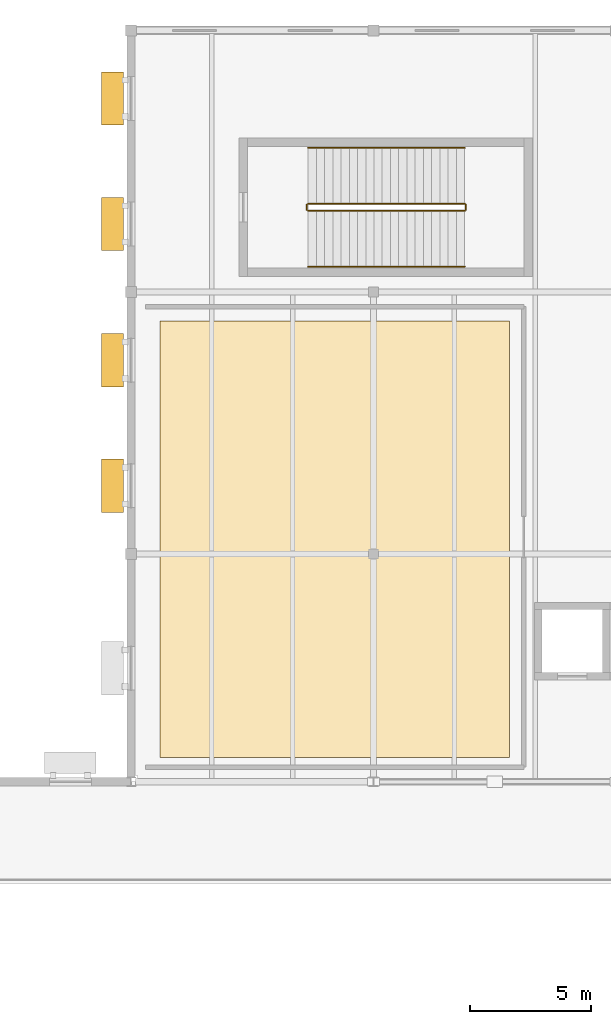
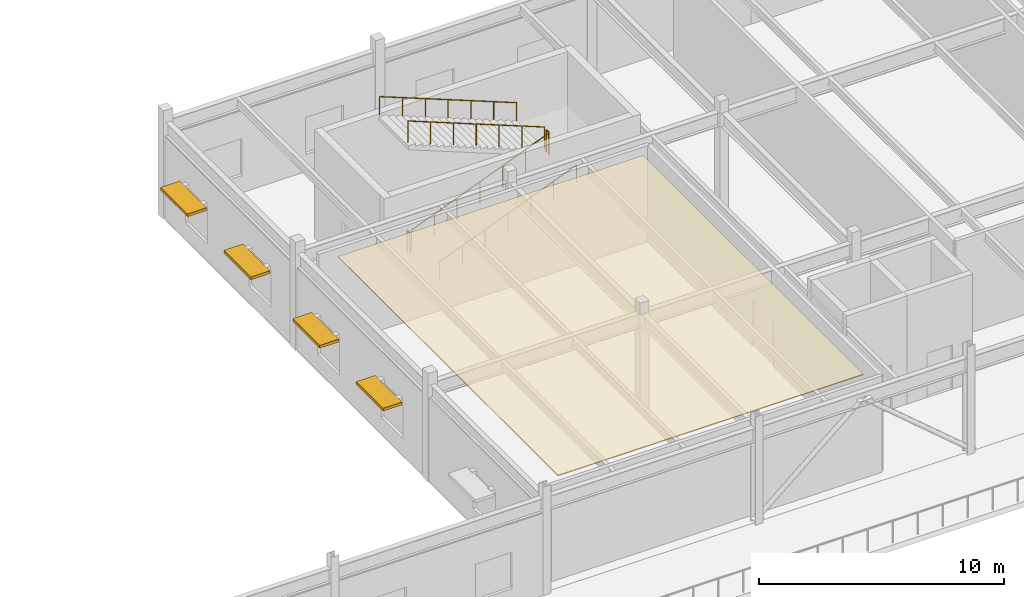
# One storey, part 64 of 68: 6 railings, 4 shading devices, 1 covering.
"""IFC4 building model written with IfcOpenShell, lengths in metres."""

from ifc_helpers import new_model, si_unit, direction, frame, origin, origin_2d, place, context, subcontext, project, spatial, polyline, rectangle, circle, outline, extrude, material, layer, layer_set, type_object, element, save


model = new_model("IFC4")

# Units and contexts
model_context = context("Model", 3, precision=1e-05, world=origin(), true_north=direction((0.0, 1.0)))
body_context = subcontext(model_context, "Body", "Model", "MODEL_VIEW")
ifc_project = project(units=[si_unit("LENGTHUNIT", "METRE"), si_unit("AREAUNIT", "SQUARE_METRE"), si_unit("VOLUMEUNIT", "CUBIC_METRE"), si_unit("PLANEANGLEUNIT", "RADIAN"), si_unit("MASSUNIT", "GRAM", prefix="KILO")], contexts=[model_context])

# Site, building, storey
site_placement = place(None, origin())
site = spatial("IfcSite", under=ifc_project, at=site_placement, CompositionType="ELEMENT")
building_placement = place(site_placement, origin())
building = spatial("IfcBuilding", under=site, at=building_placement, Name="Veldera Park Congress Hotel", CompositionType="ELEMENT")
storey_placement = place(building_placement, frame((0.0, 0.0, 10.800048828125)))
storey = spatial("IfcBuildingStorey", under=building, at=storey_placement, Name="L02", CompositionType="ELEMENT", Elevation=10.800048828125)

# Covering
ifc_material_1 = material(Name="Micro-Perforated Western Hemlock Acoustic Timber", Category="wood")
ifc_layer = layer(ifc_material_1, 0.044921875)
ifc_layer_set = layer_set([ifc_layer], Name="Micro-Perforated Western Hemlock Acoustic Timber")
covering_type = type_object("IfcCoveringType", Name="COV-CLG-TIM", PredefinedType="CEILING", material=ifc_layer_set)
covering_placement = place(storey_placement, frame((0.0, 0.0, 4.7548828125)))
element("IfcCovering", 1, at=covering_placement, inside=storey, type_object=covering_type, Name="Secretariat Acoustic Ceiling", PredefinedType="CEILING", context=body_context, shape_type="SweptSolid", body=[
    extrude(outline(polyline([(-46.199951171875, 28.0), (-31.800048828125, 28.0), (-31.800048828125, 46.0), (-46.199951171875, 46.0), (-46.199951171875, 28.0)])), origin(), (0.0, 0.0, 1.0), 0.045166015625),
])

# Railings
ifc_material_2 = material(Name="Steel ASTM A992 Gr.50", Category="steel")
railing_type_1 = type_object("IfcRailingType", Name="GRD-ST110", PredefinedType="GUARDRAIL", material=ifc_material_2)
railing_1_placement = place(storey_placement, frame((-40.10009765625, 50.550048828125, 0.135009765625)))
element("IfcRailing", 2, at=railing_1_placement, inside=storey, type_object=railing_type_1, Name="L02 ST4 stair guard 1", PredefinedType="GUARDRAIL", context=body_context, shape_type="SweptSolid", body=[
    extrude(circle(Radius=0.02392578125, at=origin_2d()), frame((0.0, 0.0, 1.076171875), z_axis=(0.929423222467, 0.0, 0.369015546474), x_axis=(0.0, 1.0, 0.0)), (0.0, 0.0, 1.0), 6.95068359375),
    extrude(circle(Radius=0.02099609375, at=origin_2d()), origin(), (0.0, 0.0, 1.0), 1.052001953125),
    extrude(circle(Radius=0.02099609375, at=origin_2d()), frame((1.07666015625, 0.0, 0.427490234375)), (0.0, 0.0, 1.0), 1.052001953125),
    extrude(circle(Radius=0.02099609375, at=origin_2d()), frame((2.1533203125, 0.0, 0.85498046875)), (0.0, 0.0, 1.0), 1.052001953125),
    extrude(circle(Radius=0.02099609375, at=origin_2d()), frame((3.22998046875, 0.0, 1.282470703125)), (0.0, 0.0, 1.0), 1.052001953125),
    extrude(circle(Radius=0.02099609375, at=origin_2d()), frame((4.306884765625, 0.0, 1.7099609375)), (0.0, 0.0, 1.0), 1.052001953125),
    extrude(circle(Radius=0.02099609375, at=origin_2d()), frame((5.383544921875, 0.0, 2.137451171875)), (0.0, 0.0, 1.0), 1.052001953125),
    extrude(circle(Radius=0.02099609375, at=origin_2d()), frame((6.460205078125, 0.0, 2.56494140625)), (0.0, 0.0, 1.0), 1.052001953125),
])
railing_2_placement = place(storey_placement, frame((-33.590087890625, 50.60009765625, 2.699951171875)))
element("IfcRailing", 3, at=railing_2_placement, inside=storey, type_object=railing_type_1, Name="L02 ST4 stair guard 2", PredefinedType="GUARDRAIL", context=body_context, shape_type="SweptSolid", body=[
    extrude(circle(Radius=0.02392578125, at=origin_2d()), frame((0.0, 0.0, 1.076171875), z_axis=(0.0, 1.0, 0.0), x_axis=(-1.0, 0.0, 0.0)), (0.0, 0.0, 1.0), 0.199951171875),
    extrude(circle(Radius=0.02099609375, at=origin_2d()), origin(), (0.0, 0.0, 1.0), 1.052001953125),
    extrude(circle(Radius=0.02099609375, at=origin_2d()), frame((0.0, 0.199951171875, 0.0)), (0.0, 0.0, 1.0), 1.052001953125),
])
railing_3_placement = place(storey_placement, frame((-33.639892578125, 50.85009765625, 2.8349609375)))
element("IfcRailing", 4, at=railing_3_placement, inside=storey, type_object=railing_type_1, Name="L02 ST4 stair guard 3", PredefinedType="GUARDRAIL", context=body_context, shape_type="SweptSolid", body=[
    extrude(circle(Radius=0.02392578125, at=origin_2d()), frame((0.0, 0.0, 1.076171875), z_axis=(-0.929423222467, 0.0, 0.369015546474), x_axis=(0.0, -1.0, 0.0)), (0.0, 0.0, 1.0), 6.95068359375),
    extrude(circle(Radius=0.02099609375, at=origin_2d()), origin(), (0.0, 0.0, 1.0), 1.052001953125),
    extrude(circle(Radius=0.02099609375, at=origin_2d()), frame((-1.07666015625, 0.0, 0.427490234375)), (0.0, 0.0, 1.0), 1.052001953125),
    extrude(circle(Radius=0.02099609375, at=origin_2d()), frame((-2.1533203125, 0.0, 0.85498046875)), (0.0, 0.0, 1.0), 1.052001953125),
    extrude(circle(Radius=0.02099609375, at=origin_2d()), frame((-3.22998046875, 0.0, 1.282470703125)), (0.0, 0.0, 1.0), 1.052001953125),
    extrude(circle(Radius=0.02099609375, at=origin_2d()), frame((-4.306884765625, 0.0, 1.7099609375)), (0.0, 0.0, 1.0), 1.052001953125),
    extrude(circle(Radius=0.02099609375, at=origin_2d()), frame((-5.383544921875, 0.0, 2.137451171875)), (0.0, 0.0, 1.0), 1.052001953125),
    extrude(circle(Radius=0.02099609375, at=origin_2d()), frame((-6.460205078125, 0.0, 2.56494140625)), (0.0, 0.0, 1.0), 1.052001953125),
])
railing_4_placement = place(storey_placement, frame((-40.14990234375, 50.60009765625, 0.0)))
element("IfcRailing", 5, at=railing_4_placement, inside=storey, type_object=railing_type_1, Name="L02 ST4 stair guard 4", PredefinedType="GUARDRAIL", context=body_context, shape_type="SweptSolid", body=[
    extrude(circle(Radius=0.02392578125, at=origin_2d()), frame((0.0, 0.0, 1.076171875), z_axis=(0.0, 1.0, 0.0), x_axis=(-1.0, 0.0, 0.0)), (0.0, 0.0, 1.0), 0.199951171875),
    extrude(circle(Radius=0.02099609375, at=origin_2d()), origin(), (0.0, 0.0, 1.0), 1.052001953125),
    extrude(circle(Radius=0.02099609375, at=origin_2d()), frame((0.0, 0.199951171875, 0.0)), (0.0, 0.0, 1.0), 1.052001953125),
])
railing_type_2 = type_object("IfcRailingType", Name="HRL-920", PredefinedType="HANDRAIL", material=ifc_material_2)
railing_5_placement = place(storey_placement, frame((-40.10009765625, 48.25, 0.135009765625)))
element("IfcRailing", 6, at=railing_5_placement, inside=storey, type_object=railing_type_2, Name="L02 ST4 stair handrail 1", PredefinedType="HANDRAIL", context=body_context, shape_type="SweptSolid", body=[
    extrude(circle(Radius=0.02392578125, at=origin_2d()), frame((0.0, 0.0, 0.89599609375), z_axis=(0.929423222467, 0.0, 0.369015546474), x_axis=(0.0, 1.0, 0.0)), (0.0, 0.0, 1.0), 6.95068359375),
    extrude(circle(Radius=0.02099609375, at=origin_2d()), origin(), (0.0, 0.0, 1.0), 0.871826171875),
    extrude(circle(Radius=0.02099609375, at=origin_2d()), frame((1.07666015625, 0.0, 0.427490234375)), (0.0, 0.0, 1.0), 0.871826171875),
    extrude(circle(Radius=0.02099609375, at=origin_2d()), frame((2.1533203125, 0.0, 0.85498046875)), (0.0, 0.0, 1.0), 0.871826171875),
    extrude(circle(Radius=0.02099609375, at=origin_2d()), frame((3.22998046875, 0.0, 1.282470703125)), (0.0, 0.0, 1.0), 0.871826171875),
    extrude(circle(Radius=0.02099609375, at=origin_2d()), frame((4.306884765625, 0.0, 1.7099609375)), (0.0, 0.0, 1.0), 0.871826171875),
    extrude(circle(Radius=0.02099609375, at=origin_2d()), frame((5.383544921875, 0.0, 2.137451171875)), (0.0, 0.0, 1.0), 0.871826171875),
    extrude(circle(Radius=0.02099609375, at=origin_2d()), frame((6.460205078125, 0.0, 2.56494140625)), (0.0, 0.0, 1.0), 0.871826171875),
])
railing_6_placement = place(storey_placement, frame((-33.639892578125, 53.14990234375, 2.8349609375)))
element("IfcRailing", 7, at=railing_6_placement, inside=storey, type_object=railing_type_2, Name="L02 ST4 stair handrail 2", PredefinedType="HANDRAIL", context=body_context, shape_type="SweptSolid", body=[
    extrude(circle(Radius=0.02392578125, at=origin_2d()), frame((0.0, 0.0, 0.89599609375), z_axis=(-0.929423222467, 0.0, 0.369015546474), x_axis=(0.0, -1.0, 0.0)), (0.0, 0.0, 1.0), 6.95068359375),
    extrude(circle(Radius=0.02099609375, at=origin_2d()), origin(), (0.0, 0.0, 1.0), 0.871826171875),
    extrude(circle(Radius=0.02099609375, at=origin_2d()), frame((-1.07666015625, 0.0, 0.427490234375)), (0.0, 0.0, 1.0), 0.871826171875),
    extrude(circle(Radius=0.02099609375, at=origin_2d()), frame((-2.1533203125, 0.0, 0.85498046875)), (0.0, 0.0, 1.0), 0.871826171875),
    extrude(circle(Radius=0.02099609375, at=origin_2d()), frame((-3.22998046875, 0.0, 1.282470703125)), (0.0, 0.0, 1.0), 0.871826171875),
    extrude(circle(Radius=0.02099609375, at=origin_2d()), frame((-4.306884765625, 0.0, 1.7099609375)), (0.0, 0.0, 1.0), 0.871826171875),
    extrude(circle(Radius=0.02099609375, at=origin_2d()), frame((-5.383544921875, 0.0, 2.137451171875)), (0.0, 0.0, 1.0), 0.871826171875),
    extrude(circle(Radius=0.02099609375, at=origin_2d()), frame((-6.460205078125, 0.0, 2.56494140625)), (0.0, 0.0, 1.0), 0.871826171875),
])

# Shading devices
ifc_material_3 = material(Name="Glulam GL28h (NDS 24F-V4)", Category="wood")
shading_device_type = type_object("IfcShadingDeviceType", Name="SHD-SHF450", PredefinedType="AWNING", material=ifc_material_3)
for number, where, z_axis, x_axis, name in (
    (8, (-48.169921875, 55.1884765625, 2.7099609375), (0.0, 0.0, 1.0), (0.0, -1.0, 0.0), "Glulam Solar Shade 64"),
    (9, (-48.169921875, 50.011474609375, 2.7099609375), (0.0, 0.0, 1.0), (0.0, -1.0, 0.0), "Glulam Solar Shade 65"),
    (10, (-48.169921875, 44.388427734375, 2.7099609375), (0.0, 0.0, 1.0), (0.0, -1.0, 0.0), "Glulam Solar Shade 66"),
    (11, (-48.169921875, 39.21142578125, 2.7099609375), (0.0, 0.0, 1.0), (0.0, -1.0, 0.0), "Glulam Solar Shade 67"),
):
    element("IfcShadingDevice", number, at=place(storey_placement, frame(where, z_axis=z_axis, x_axis=x_axis)), inside=storey, type_object=shading_device_type, Name=name, PredefinedType="AWNING", context=body_context, shape_type="SweptSolid", body=[
        extrude(rectangle(XDim=2.199951171875, YDim=0.89990234375, at=origin_2d()), origin(), (0.0, 0.0, 1.0), 0.139892578125),
    ])

save(model, "model.ifc")
